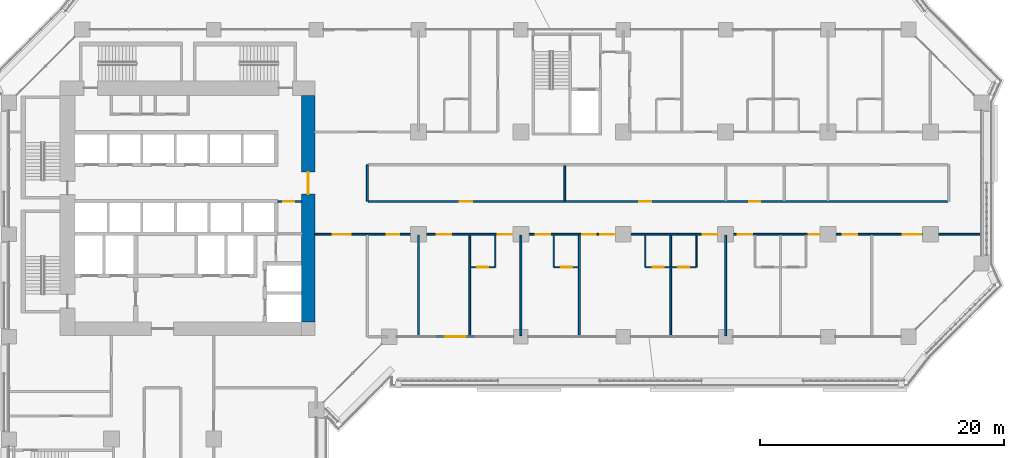
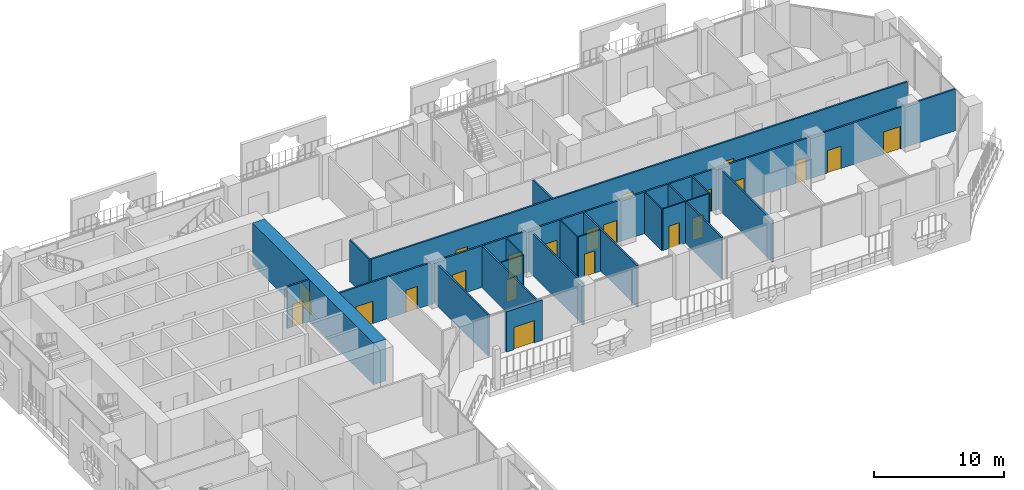
# One storey, part 16 of 28: 22 doors, 20 walls, 22 openings.
"""IFC4 building model written with IfcOpenShell, lengths in metres."""

import ifcopenshell
import ifcopenshell.guid

model = None  # the IFC model being written
_history = None  # IfcOwnerHistory: only IFC2X3 demands one
_inside = {}  # id of a spatial element -> (the spatial element, [elements in it])
_under = {}  # id of a project, library or spatial element -> (it, [spatial elements below it])
_declared = {}  # id of a project -> (the project, [libraries it declares])
_typed = {}  # id of a type object -> (the type object, [elements of that type])
_made_of = {}  # id of a material, layer set ... -> (it, [elements and type objects made of it])


def new_model(schema):
    """Start an empty IFC model of exactly this schema.

    Asked for "IFC4X3", IfcOpenShell would pick the latest addendum, in which some entities
    have other attributes; the version numbers below select the first issue.
    IFC2X3 requires an IfcOwnerHistory on every rooted entity: one is made here for all.
    """
    global model, _history
    if schema == "IFC4X3":
        model = ifcopenshell.file(schema_version=(4, 3, 0, 0))
    else:
        model = ifcopenshell.file(schema=schema)
    _inside.clear()
    _under.clear()
    _declared.clear()
    _typed.clear()
    _made_of.clear()
    _history = None
    if model.schema == "IFC2X3":
        org = make("IfcOrganization", Name="unknown")
        user = make(
            "IfcPersonAndOrganization",
            ThePerson=make("IfcPerson", FamilyName="unknown"),
            TheOrganization=org,
        )
        app = make(
            "IfcApplication",
            ApplicationDeveloper=org,
            Version="unknown",
            ApplicationFullName="unknown",
            ApplicationIdentifier="unknown",
        )
        _history = make(
            "IfcOwnerHistory",
            OwningUser=user,
            OwningApplication=app,
            ChangeAction="ADDED",
            CreationDate=0,
        )
    return model


def make(cls, **values):
    """One entity of the class cls with the attributes given. An attribute that is None is left unset."""
    return model.create_entity(
        cls, **{name: value for name, value in values.items() if value is not None}
    )


def rooted(cls, **values):
    """An entity with a GlobalId (a new one), such as an element, a storey or a relation."""
    return make(cls, GlobalId=ifcopenshell.guid.new(), OwnerHistory=_history, **values)


def si_unit(unit_type, name, prefix=None):
    """IfcSIUnit, for example si_unit("LENGTHUNIT", "METRE", prefix="MILLI")."""
    return make("IfcSIUnit", UnitType=unit_type, Prefix=prefix, Name=name)


def assignment(units):
    """IfcUnitAssignment: the units of a project."""
    return None if units is None else make("IfcUnitAssignment", Units=units)


def point(xyz):
    """IfcCartesianPoint."""
    return None if xyz is None else make("IfcCartesianPoint", Coordinates=xyz)


def direction(xyz):
    """IfcDirection."""
    return None if xyz is None else make("IfcDirection", DirectionRatios=xyz)


def frame(location, z_axis=None, x_axis=None):
    """IfcAxis2Placement3D, a coordinate frame: its origin and axes. An axis left out is left unset."""
    return make(
        "IfcAxis2Placement3D",
        Location=point(location),
        Axis=direction(z_axis),
        RefDirection=direction(x_axis),
    )


def frame_2d(location, x_axis=None):
    """IfcAxis2Placement2D, a coordinate frame in the plane: its origin and x axis."""
    return make(
        "IfcAxis2Placement2D", Location=point(location), RefDirection=direction(x_axis)
    )


def origin():
    """The frame at (0, 0, 0) with its axes left unset."""
    return frame((0.0, 0.0, 0.0))


def place(relative_to, where):
    """IfcLocalPlacement: puts the frame where relative to a parent placement (None: the world)."""
    return make(
        "IfcLocalPlacement", PlacementRelTo=relative_to, RelativePlacement=where
    )


def context(
    kind, dimensions, precision=None, world=None, true_north=None, identifier=None
):
    """IfcGeometricRepresentationContext, for example the 3D "Model" context."""
    return make(
        "IfcGeometricRepresentationContext",
        ContextIdentifier=identifier,
        ContextType=kind,
        CoordinateSpaceDimension=dimensions,
        Precision=precision,
        WorldCoordinateSystem=world,
        TrueNorth=true_north,
    )


def subcontext(parent, identifier, kind, view, scale=None):
    """IfcGeometricRepresentationSubContext, for example "Body" below "Model"."""
    return make(
        "IfcGeometricRepresentationSubContext",
        ContextIdentifier=identifier,
        ContextType=kind,
        ParentContext=parent,
        TargetScale=scale,
        TargetView=view,
    )


def project(units=None, contexts=None):
    """IfcProject with its units and contexts."""
    return rooted(
        "IfcProject",
        Name="project",
        RepresentationContexts=contexts,
        UnitsInContext=assignment(units),
    )


def spatial(cls, under=None, at=None, **own):
    """A site, building, storey or space (cls), placed at a placement, below another one or the project."""
    s = rooted(cls, ObjectPlacement=at, **own)
    if under is not None:
        _under.setdefault(under.id(), (under, []))[1].append(s)
    return s


def profile(cls, at=None, kind="AREA", **sizes):
    """A parametric profile (cls). Its sizes go by their IFC names, for example OverallWidth=200.0."""
    return make(cls, ProfileType=kind, Position=at, **sizes)


def rectangle(**sizes):
    """IfcRectangleProfileDef."""
    return profile("IfcRectangleProfileDef", **sizes)


def extrude(swept, where, along, depth):
    """IfcExtrudedAreaSolid: the profile swept, set in the frame where, extruded along a direction by depth."""
    return make(
        "IfcExtrudedAreaSolid",
        SweptArea=swept,
        Position=where,
        ExtrudedDirection=direction(along),
        Depth=depth,
    )


def shape(context_of_items, identifier, shape_type, items):
    """IfcShapeRepresentation: the items that make up one representation, for example the "Body"."""
    return make(
        "IfcShapeRepresentation",
        ContextOfItems=context_of_items,
        RepresentationIdentifier=identifier,
        RepresentationType=shape_type,
        Items=items,
    )


def material(Name=None, Category=None):
    """IfcMaterial."""
    return make("IfcMaterial", Name=Name, Category=Category)


def layer(
    of_material, thickness, ventilated=None, Name=None, Category=None, Priority=None
):
    """IfcMaterialLayer: one layer of a wall or slab, of a material (None: an air gap)."""
    return make(
        "IfcMaterialLayer",
        Material=of_material,
        LayerThickness=thickness,
        IsVentilated=ventilated,
        Name=Name,
        Category=Category,
        Priority=Priority,
    )


def layer_set(layers, Name=None):
    """IfcMaterialLayerSet."""
    return make("IfcMaterialLayerSet", MaterialLayers=layers, LayerSetName=Name)


def made_of(thing, what):
    """Note that an element or type object is made of a material, layer set ...; save() writes the relation."""
    if what is not None:
        _made_of.setdefault(what.id(), (what, []))[1].append(thing)
    return thing


def type_object(cls, material=None, **own):
    """A type object (cls), such as IfcWallType, which elements share."""
    return made_of(rooted(cls, **own), material)


def element(
    cls,
    number,
    at=None,
    inside=None,
    cuts=None,
    type_object=None,
    material=None,
    context=None,
    identifier="Body",
    shape_type=None,
    held_by="IfcProductDefinitionShape",
    body=None,
    shapes=None,
    **own,
):
    """One element of the class cls, such as IfcWall. Its Tag is "e" and its number.

    at: its placement. inside: the storey or other place that contains it. cuts: it is an
    opening in that element (IfcRelVoidsElement). A single representation is given by context,
    identifier, shape_type and body (its items); several are given by shapes. held_by: the class
    of the entity that holds the representations. save() writes the other relations.
    """
    e = rooted(cls, Tag="e%d" % number, ObjectPlacement=at, **own)
    if body is not None:
        shapes = [shape(context, identifier, shape_type, body)]
    if shapes is not None:
        e.Representation = make(held_by, Representations=shapes)
    if inside is not None:
        _inside.setdefault(inside.id(), (inside, []))[1].append(e)
    if cuts is not None:
        rooted(
            "IfcRelVoidsElement", RelatingBuildingElement=cuts, RelatedOpeningElement=e
        )
    if type_object is not None:
        _typed.setdefault(type_object.id(), (type_object, []))[1].append(e)
    return made_of(e, material)


def fill(opening, filler):
    """IfcRelFillsElement: the door or window that sits in an opening."""
    return rooted(
        "IfcRelFillsElement",
        RelatingOpeningElement=opening,
        RelatedBuildingElement=filler,
    )


def aggregate(whole, parts):
    """IfcRelAggregates: a whole, such as a stair, and the parts it consists of."""
    return rooted("IfcRelAggregates", RelatingObject=whole, RelatedObjects=parts)


def save(model, path):
    """Write the relations noted so far, then the file.

    IfcRelAggregates (storeys below a building ...), IfcRelContainedInSpatialStructure (elements
    in a storey), IfcRelDefinesByType, IfcRelAssociatesMaterial and IfcRelDeclares: one each for
    every whole, place, type object, material and project.
    """
    for whole, parts in _under.values():
        aggregate(whole, parts)
    for where, things in _inside.values():
        rooted(
            "IfcRelContainedInSpatialStructure",
            RelatedElements=things,
            RelatingStructure=where,
        )
    for kind, things in _typed.values():
        rooted("IfcRelDefinesByType", RelatedObjects=things, RelatingType=kind)
    for what, things in _made_of.values():
        rooted("IfcRelAssociatesMaterial", RelatedObjects=things, RelatingMaterial=what)
    for by, libraries in _declared.values():
        rooted("IfcRelDeclares", RelatingContext=by, RelatedDefinitions=libraries)
    model.write(path)


model = new_model("IFC4")

# Units and contexts
model_context = context("Model", 3, precision=1e-05, world=origin(), true_north=direction((0.0, 1.0)))
body_context = subcontext(model_context, "Body", "Model", "MODEL_VIEW")
ifc_project = project(units=[si_unit("LENGTHUNIT", "METRE"), si_unit("AREAUNIT", "SQUARE_METRE"), si_unit("VOLUMEUNIT", "CUBIC_METRE"), si_unit("PLANEANGLEUNIT", "RADIAN"), si_unit("MASSUNIT", "GRAM", prefix="KILO")], contexts=[model_context])

# Site, building, storey
site_placement = place(None, origin())
site = spatial("IfcSite", under=ifc_project, at=site_placement, CompositionType="ELEMENT")
building_placement = place(site_placement, origin())
building = spatial("IfcBuilding", under=site, at=building_placement, Name="Kawkab Arch Medical Tower", CompositionType="ELEMENT")
storey_placement = place(building_placement, frame((0.0, 0.0, 77.0)))
storey = spatial("IfcBuildingStorey", under=building, at=storey_placement, Name="L17", CompositionType="ELEMENT", Elevation=77.0)

# Wall, opening, door
ifc_material_1 = material(Name="Concrete C60/75", Category="concrete")
ifc_layer_1 = layer(ifc_material_1, 1.10009765625)
ifc_layer_set_1 = layer_set([ifc_layer_1], Name="Concrete C60/75")
wall_type_1 = type_object("IfcWallType", Name="Core ring wall 1100 C60/75", PredefinedType="SHEAR", material=ifc_layer_set_1)
wall_1_placement = place(storey_placement, frame((24.550048828125, -24.0, 0.0), z_axis=(0.0, 0.0, 1.0), x_axis=(0.0, 1.0, 0.0)))
wall_1 = element("IfcWall", 1, at=wall_1_placement, inside=storey, type_object=wall_type_1, Name="L17 core wall", PredefinedType="SHEAR", context=body_context, shape_type="SweptSolid", body=[
    extrude(rectangle(XDim=18.60009765625, YDim=1.10009765625, at=frame_2d((9.300048828125, 0.0))), origin(), (0.0, 0.0, 1.0), 3.89990234375),
])
opening_1_placement = place(wall_1_placement, frame((10.5, 0.0, 0.0)))
opening_1 = element("IfcOpeningElement", 2, at=opening_1_placement, cuts=wall_1, Name="Opening PD", PredefinedType="OPENING", context=body_context, shape_type="SweptSolid", body=[
    extrude(rectangle(XDim=1.800048828125, YDim=2.10009765625, at=frame_2d((0.89990234375, 1.050048828125))), frame((0.0, 0.56005859375, 0.0), z_axis=(0.0, -1.0, 0.0), x_axis=(1.0, 0.0, 0.0)), (0.0, 0.0, 1.0), 1.1201171875),
])
ifc_material_2 = material(Name="Hollow metal fire door leaf")
door_type_1 = type_object("IfcDoorType", Name="Core entrance doors 1800", OperationType="DOUBLE_DOOR_SINGLE_SWING", PredefinedType="DOOR", material=ifc_material_2)
door_1_placement = place(opening_1_placement, origin())
door_1 = element("IfcDoor", 3, at=door_1_placement, inside=storey, type_object=door_type_1, Name="L17 East entrance doors", OperationType="DOUBLE_DOOR_SINGLE_SWING", OverallHeight=2.10009765625, OverallWidth=1.800048828125, PredefinedType="DOOR", context=body_context, shape_type="SweptSolid", body=[
    extrude(rectangle(XDim=1.800048828125, YDim=2.10009765625, at=frame_2d((0.89990234375, 1.050048828125))), frame((0.0, 0.02490234375, 0.0), z_axis=(0.0, -1.0, 0.0), x_axis=(1.0, 0.0, 0.0)), (0.0, 0.0, 1.0), 0.050048828125),
])
fill(opening_1, door_1)

ifc_material_3 = material(Name="Gypsum board on steel studs", Category="steel")
ifc_layer_2 = layer(ifc_material_3, 0.14990234375)
ifc_layer_set_2 = layer_set([ifc_layer_2], Name="Gypsum board on steel studs")
wall_type_2 = type_object("IfcWallType", Name="Core room partition 150", PredefinedType="PARTITIONING", material=ifc_layer_set_2)
wall_2_placement = place(storey_placement, frame((22.050048828125, -14.10009765625, 0.0), z_axis=(0.0, 0.0, 1.0), x_axis=(1.0, 0.0, 0.0)))
wall_2 = element("IfcWall", 4, at=wall_2_placement, inside=storey, type_object=wall_type_2, Name="L17 core room partition", PredefinedType="PARTITIONING", context=body_context, shape_type="SweptSolid", body=[
    extrude(rectangle(XDim=1.949951171875, YDim=0.14990234375, at=frame_2d((0.97509765625, 0.0))), origin(), (0.0, 0.0, 1.0), 3.89990234375),
])
opening_2_placement = place(wall_2_placement, frame((0.449951171875, 0.0, 0.0)))
opening_2 = element("IfcOpeningElement", 5, at=opening_2_placement, cuts=wall_2, Name="Opening RD", PredefinedType="OPENING", context=body_context, shape_type="SweptSolid", body=[
    extrude(rectangle(XDim=0.89990234375, YDim=2.10009765625, at=frame_2d((0.449951171875, 1.050048828125))), frame((0.0, 0.0849609375, 0.0), z_axis=(0.0, -1.0, 0.0), x_axis=(1.0, 0.0, 0.0)), (0.0, 0.0, 1.0), 0.169921875),
])
ifc_material_4 = material(Name="Hollow metal fire door leaf")
door_type_2 = type_object("IfcDoorType", Name="Core room door 900", OperationType="SINGLE_SWING_LEFT", PredefinedType="DOOR", material=ifc_material_4)
door_2_placement = place(opening_2_placement, origin())
door_2 = element("IfcDoor", 6, at=door_2_placement, inside=storey, type_object=door_type_2, Name="L17 Medication store door", OperationType="SINGLE_SWING_LEFT", OverallHeight=2.10009765625, OverallWidth=0.89990234375, PredefinedType="DOOR", context=body_context, shape_type="SweptSolid", body=[
    extrude(rectangle(XDim=0.89990234375, YDim=2.10009765625, at=frame_2d((0.449951171875, 1.050048828125))), frame((0.0, 0.02490234375, 0.0), z_axis=(0.0, -1.0, 0.0), x_axis=(1.0, 0.0, 0.0)), (0.0, 0.0, 1.0), 0.050048828125),
])
fill(opening_2, door_2)

ifc_material_5 = material(Name="Bronze clad insulated wall panel")
ifc_layer_3 = layer(ifc_material_5, 0.25)
ifc_layer_set_3 = layer_set([ifc_layer_3], Name="Bronze clad insulated wall panel")
wall_type_3 = type_object("IfcWallType", Name="External wall bay 250", PredefinedType="SOLIDWALL", material=ifc_layer_set_3)
wall_3_placement = place(storey_placement, frame((35.0166015625, -25.199951171875, 0.0), z_axis=(0.0, 0.0, 1.0), x_axis=(1.0, 0.0, 0.0)))
wall_3 = element("IfcWall", 7, at=wall_3_placement, inside=storey, type_object=wall_type_3, Name="External wall bay L17.R07.1.2", PredefinedType="SOLIDWALL", context=body_context, shape_type="SweptSolid", body=[
    extrude(rectangle(XDim=3.191650390625, YDim=0.25, at=frame_2d((1.595703125, 0.0))), origin(), (0.0, 0.0, 1.0), 3.780029296875),
])
opening_3_placement = place(wall_3_placement, frame((0.69580078125, 0.0, 0.0)))
opening_3 = element("IfcOpeningElement", 8, at=opening_3_placement, cuts=wall_3, Name="Opening W12-702", PredefinedType="OPENING", context=body_context, shape_type="SweptSolid", body=[
    extrude(rectangle(XDim=1.800048828125, YDim=2.10009765625, at=frame_2d((0.89990234375, 1.050048828125))), frame((0.0, 0.135009765625, 0.0), z_axis=(0.0, -1.0, 0.0), x_axis=(1.0, 0.0, 0.0)), (0.0, 0.0, 1.0), 0.27001953125),
])
ifc_material_6 = material(Name="Bronze anodised aluminium door with tinted glass", Category="aluminium")
door_type_3 = type_object("IfcDoorType", Name="Double external door 1800 x 2100", OperationType="DOUBLE_DOOR_SINGLE_SWING", PredefinedType="DOOR", material=ifc_material_6)
door_3_placement = place(opening_3_placement, origin())
door_3 = element("IfcDoor", 9, at=door_3_placement, inside=storey, type_object=door_type_3, Name="External door L17.R07.1.2", OperationType="DOUBLE_DOOR_SINGLE_SWING", OverallHeight=2.10009765625, OverallWidth=1.800048828125, PredefinedType="DOOR", context=body_context, shape_type="SweptSolid", body=[
    extrude(rectangle(XDim=1.800048828125, YDim=2.10009765625, at=frame_2d((0.89990234375, 1.050048828125))), frame((0.0, 0.02490234375, 0.0), z_axis=(0.0, -1.0, 0.0), x_axis=(1.0, 0.0, 0.0)), (0.0, 0.0, 1.0), 0.050048828125),
])
fill(opening_3, door_3)

ifc_material_7 = material(Name="Gypsum board partition on steel studs", Category="steel")
ifc_layer_4 = layer(ifc_material_7, 0.10009765625)
ifc_layer_set_4 = layer_set([ifc_layer_4], Name="Gypsum board partition on steel studs")
wall_type_4 = type_object("IfcWallType", Name="Partition 100", PredefinedType="PARTITIONING", material=ifc_layer_set_4)
wall_4_placement = place(storey_placement, frame((37.875, -19.5, 0.0), z_axis=(0.0, 0.0, 1.0), x_axis=(1.0, 0.0, 0.0)))
wall_4 = element("IfcWall", 10, at=wall_4_placement, inside=storey, type_object=wall_type_4, Name="Partition 100 w011", PredefinedType="PARTITIONING", context=body_context, shape_type="SweptSolid", body=[
    extrude(rectangle(XDim=1.97509765625, YDim=0.10009765625, at=frame_2d((0.987548828125, 0.0))), origin(), (0.0, 0.0, 1.0), 3.89990234375),
])
opening_4_placement = place(wall_4_placement, frame((0.52490234375, 0.0, 0.0)))
opening_4 = element("IfcOpeningElement", 11, at=opening_4_placement, cuts=wall_4, Name="Opening W12-011", PredefinedType="OPENING", context=body_context, shape_type="SweptSolid", body=[
    extrude(rectangle(XDim=0.89990234375, YDim=2.10009765625, at=frame_2d((0.449951171875, 1.050048828125))), frame((0.0, 0.06005859375, 0.0), z_axis=(0.0, -1.0, 0.0), x_axis=(1.0, 0.0, 0.0)), (0.0, 0.0, 1.0), 0.1201171875),
])
ifc_material_8 = material(Name="Timber door leaf", Category="wood")
door_type_4 = type_object("IfcDoorType", Name="Single door 900x2100", OperationType="NOTDEFINED", PredefinedType="DOOR", material=ifc_material_8)
door_4_placement = place(opening_4_placement, origin())
door_4 = element("IfcDoor", 12, at=door_4_placement, inside=storey, type_object=door_type_4, Name="Door W12-011", OperationType="SINGLE_SWING_RIGHT", OverallHeight=2.10009765625, OverallWidth=0.89990234375, PredefinedType="DOOR", context=body_context, shape_type="SweptSolid", body=[
    extrude(rectangle(XDim=0.89990234375, YDim=2.10009765625, at=frame_2d((0.449951171875, 1.050048828125))), frame((0.0, 0.02490234375, 0.0), z_axis=(0.0, -1.0, 0.0), x_axis=(1.0, 0.0, 0.0)), (0.0, 0.0, 1.0), 0.050048828125),
])
fill(opening_4, door_4)

wall_5_placement = place(storey_placement, frame((44.75, -19.5, 0.0), z_axis=(0.0, 0.0, 1.0), x_axis=(1.0, 0.0, 0.0)))
wall_5 = element("IfcWall", 13, at=wall_5_placement, inside=storey, type_object=wall_type_4, Name="Partition 100 w012", PredefinedType="PARTITIONING", context=body_context, shape_type="SweptSolid", body=[
    extrude(rectangle(XDim=1.97509765625, YDim=0.10009765625, at=frame_2d((0.987548828125, 0.0))), origin(), (0.0, 0.0, 1.0), 3.89990234375),
])
opening_5_placement = place(wall_5_placement, frame((0.550048828125, 0.0, 0.0)))
opening_5 = element("IfcOpeningElement", 14, at=opening_5_placement, cuts=wall_5, Name="Opening W12-012", PredefinedType="OPENING", context=body_context, shape_type="SweptSolid", body=[
    extrude(rectangle(XDim=0.89990234375, YDim=2.10009765625, at=frame_2d((0.449951171875, 1.050048828125))), frame((0.0, 0.06005859375, 0.0), z_axis=(0.0, -1.0, 0.0), x_axis=(1.0, 0.0, 0.0)), (0.0, 0.0, 1.0), 0.1201171875),
])
door_5_placement = place(opening_5_placement, origin())
door_5 = element("IfcDoor", 15, at=door_5_placement, inside=storey, type_object=door_type_4, Name="Door W12-012", OperationType="SINGLE_SWING_RIGHT", OverallHeight=2.10009765625, OverallWidth=0.89990234375, PredefinedType="DOOR", context=body_context, shape_type="SweptSolid", body=[
    extrude(rectangle(XDim=0.89990234375, YDim=2.10009765625, at=frame_2d((0.449951171875, 1.050048828125))), frame((0.0, 0.02490234375, 0.0), z_axis=(0.0, -1.0, 0.0), x_axis=(1.0, 0.0, 0.0)), (0.0, 0.0, 1.0), 0.050048828125),
])
fill(opening_5, door_5)

# Wall, openings, doors
wall_6_placement = place(storey_placement, frame((52.251953125, -19.5, 0.0), z_axis=(0.0, 0.0, 1.0), x_axis=(1.0, 0.0, 0.0)))
wall_6 = element("IfcWall", 16, at=wall_6_placement, inside=storey, type_object=wall_type_4, Name="Partition 100 w013", PredefinedType="PARTITIONING", context=body_context, shape_type="SweptSolid", body=[
    extrude(rectangle(XDim=4.09814453125, YDim=0.10009765625, at=frame_2d((2.049072265625, 0.0))), origin(), (0.0, 0.0, 1.0), 3.89990234375),
])
opening_6_placement = place(wall_6_placement, frame((0.549072265625, 0.0, 0.0)))
opening_6 = element("IfcOpeningElement", 17, at=opening_6_placement, cuts=wall_6, Name="Opening W12-013", PredefinedType="OPENING", context=body_context, shape_type="SweptSolid", body=[
    extrude(rectangle(XDim=0.89990234375, YDim=2.10009765625, at=frame_2d((0.449951171875, 1.050048828125))), frame((0.0, 0.06005859375, 0.0), z_axis=(0.0, -1.0, 0.0), x_axis=(1.0, 0.0, 0.0)), (0.0, 0.0, 1.0), 0.1201171875),
])
opening_7_placement = place(wall_6_placement, frame((2.64794921875, 0.0, 0.0)))
opening_7 = element("IfcOpeningElement", 18, at=opening_7_placement, cuts=wall_6, Name="Opening W12-014", PredefinedType="OPENING", context=body_context, shape_type="SweptSolid", body=[
    extrude(rectangle(XDim=0.89990234375, YDim=2.10009765625, at=frame_2d((0.449951171875, 1.050048828125))), frame((0.0, 0.06005859375, 0.0), z_axis=(0.0, -1.0, 0.0), x_axis=(1.0, 0.0, 0.0)), (0.0, 0.0, 1.0), 0.1201171875),
])
door_6_placement = place(opening_6_placement, origin())
door_6 = element("IfcDoor", 19, at=door_6_placement, inside=storey, type_object=door_type_4, Name="Door W12-013", OperationType="SINGLE_SWING_RIGHT", OverallHeight=2.10009765625, OverallWidth=0.89990234375, PredefinedType="DOOR", context=body_context, shape_type="SweptSolid", body=[
    extrude(rectangle(XDim=0.89990234375, YDim=2.10009765625, at=frame_2d((0.449951171875, 1.050048828125))), frame((0.0, 0.02490234375, 0.0), z_axis=(0.0, -1.0, 0.0), x_axis=(1.0, 0.0, 0.0)), (0.0, 0.0, 1.0), 0.050048828125),
])
fill(opening_6, door_6)
door_7_placement = place(opening_7_placement, origin())
door_7 = element("IfcDoor", 20, at=door_7_placement, inside=storey, type_object=door_type_4, Name="Door W12-014", OperationType="SINGLE_SWING_LEFT", OverallHeight=2.10009765625, OverallWidth=0.89990234375, PredefinedType="DOOR", context=body_context, shape_type="SweptSolid", body=[
    extrude(rectangle(XDim=0.89990234375, YDim=2.10009765625, at=frame_2d((0.449951171875, 1.050048828125))), frame((0.0, 0.02490234375, 0.0), z_axis=(0.0, -1.0, 0.0), x_axis=(1.0, 0.0, 0.0)), (0.0, 0.0, 1.0), 0.050048828125),
])
fill(opening_7, door_7)

# Walls
for number, where, z_axis, x_axis, name in (
    (21, (39.89990234375, -19.5, 0.0), (0.0, 0.0, 1.0), (0.0, 1.0, 0.0), "Partition 100 w028"),
    (22, (44.699951171875, -19.5, 0.0), (0.0, 0.0, 1.0), (0.0, 1.0, 0.0), "Partition 100 w029"),
):
    element("IfcWall", number, at=place(storey_placement, frame(where, z_axis=z_axis, x_axis=x_axis)), inside=storey, type_object=wall_type_4, Name=name, PredefinedType="PARTITIONING", context=body_context, shape_type="SweptSolid", body=[
        extrude(rectangle(XDim=2.625, YDim=0.10009765625, at=frame_2d((1.3125, 0.0))), origin(), (0.0, 0.0, 1.0), 3.89990234375),
    ])
wall_7_placement = place(storey_placement, frame((52.199951171875, -19.4990234375, 0.0), z_axis=(0.0, 0.0, 1.0), x_axis=(0.0, 1.0, 0.0)))
element("IfcWall", 23, at=wall_7_placement, inside=storey, type_object=wall_type_4, Name="Partition 100 w030", PredefinedType="PARTITIONING", context=body_context, shape_type="SweptSolid", body=[
    extrude(rectangle(XDim=2.6240234375, YDim=0.10009765625, at=frame_2d((1.31201171875, 0.0))), origin(), (0.0, 0.0, 1.0), 3.89990234375),
])
wall_8_placement = place(storey_placement, frame((56.39990234375, -19.5, 0.0), z_axis=(0.0, 0.0, 1.0), x_axis=(0.0, 1.0, 0.0)))
element("IfcWall", 24, at=wall_8_placement, inside=storey, type_object=wall_type_4, Name="Partition 100 w032", PredefinedType="PARTITIONING", context=body_context, shape_type="SweptSolid", body=[
    extrude(rectangle(XDim=2.625, YDim=0.10009765625, at=frame_2d((1.3125, 0.0))), origin(), (0.0, 0.0, 1.0), 3.89990234375),
])

# Wall, openings, doors
ifc_material_9 = material(Name="Gypsum board partition on steel studs, mineral wool", Category="steel")
ifc_layer_5 = layer(ifc_material_9, 0.14990234375)
ifc_layer_set_5 = layer_set([ifc_layer_5], Name="Gypsum board partition on steel studs, mineral wool")
wall_type_5 = type_object("IfcWallType", Name="Partition 150", PredefinedType="PARTITIONING", material=ifc_layer_set_5)
wall_9_placement = place(storey_placement, frame((25.10009765625, -16.800048828125, 0.0), z_axis=(0.0, 0.0, 1.0), x_axis=(1.0, 0.0, 0.0)))
wall_9 = element("IfcWall", 25, at=wall_9_placement, inside=storey, type_object=wall_type_5, Name="Partition 150 w062", PredefinedType="PARTITIONING", context=body_context, shape_type="SweptSolid", body=[
    extrude(rectangle(XDim=54.619873046875, YDim=0.14990234375, at=frame_2d((27.31005859375, 0.0))), origin(), (0.0, 0.0, 1.0), 3.89990234375),
])
opening_8_placement = place(wall_9_placement, frame((1.449951171875, 0.0, 0.0)))
opening_8 = element("IfcOpeningElement", 26, at=opening_8_placement, cuts=wall_9, Name="Opening W12-001", PredefinedType="OPENING", context=body_context, shape_type="SweptSolid", body=[
    extrude(rectangle(XDim=1.5, YDim=2.10009765625, at=frame_2d((0.75, 1.050048828125))), frame((0.0, 0.0849609375, 0.0), z_axis=(0.0, -1.0, 0.0), x_axis=(1.0, 0.0, 0.0)), (0.0, 0.0, 1.0), 0.169921875),
])
opening_9_placement = place(wall_9_placement, frame((5.89990234375, 0.0, 0.0)))
opening_9 = element("IfcOpeningElement", 27, at=opening_9_placement, cuts=wall_9, Name="Opening W12-038", PredefinedType="OPENING", context=body_context, shape_type="SweptSolid", body=[
    extrude(rectangle(XDim=1.0, YDim=2.10009765625, at=frame_2d((0.5, 1.050048828125))), frame((0.0, 0.0849609375, 0.0), z_axis=(0.0, -1.0, 0.0), x_axis=(1.0, 0.0, 0.0)), (0.0, 0.0, 1.0), 0.169921875),
])
opening_10_placement = place(wall_9_placement, frame((10.0, 0.0, 0.0)))
opening_10 = element("IfcOpeningElement", 28, at=opening_10_placement, cuts=wall_9, Name="Opening W12-054", PredefinedType="OPENING", context=body_context, shape_type="SweptSolid", body=[
    extrude(rectangle(XDim=1.199951171875, YDim=2.10009765625, at=frame_2d((0.60009765625, 1.050048828125))), frame((0.0, 0.0849609375, 0.0), z_axis=(0.0, -1.0, 0.0), x_axis=(1.0, 0.0, 0.0)), (0.0, 0.0, 1.0), 0.169921875),
])
opening_11_placement = place(wall_9_placement, frame((15.0, 0.0, 0.0)))
opening_11 = element("IfcOpeningElement", 29, at=opening_11_placement, cuts=wall_9, Name="Opening W12-055", PredefinedType="OPENING", context=body_context, shape_type="SweptSolid", body=[
    extrude(rectangle(XDim=1.199951171875, YDim=2.10009765625, at=frame_2d((0.60009765625, 1.050048828125))), frame((0.0, 0.0849609375, 0.0), z_axis=(0.0, -1.0, 0.0), x_axis=(1.0, 0.0, 0.0)), (0.0, 0.0, 1.0), 0.169921875),
])
opening_12_placement = place(wall_9_placement, frame((18.10009765625, 0.0, 0.0)))
opening_12 = element("IfcOpeningElement", 30, at=opening_12_placement, cuts=wall_9, Name="Opening W12-056", PredefinedType="OPENING", context=body_context, shape_type="SweptSolid", body=[
    extrude(rectangle(XDim=1.199951171875, YDim=2.10009765625, at=frame_2d((0.60009765625, 1.050048828125))), frame((0.0, 0.0849609375, 0.0), z_axis=(0.0, -1.0, 0.0), x_axis=(1.0, 0.0, 0.0)), (0.0, 0.0, 1.0), 0.169921875),
])
opening_13_placement = place(wall_9_placement, frame((23.39990234375, 0.0, 0.0)))
opening_13 = element("IfcOpeningElement", 31, at=opening_13_placement, cuts=wall_9, Name="Opening W12-057", PredefinedType="OPENING", context=body_context, shape_type="SweptSolid", body=[
    extrude(rectangle(XDim=1.199951171875, YDim=2.10009765625, at=frame_2d((0.60009765625, 1.050048828125))), frame((0.0, 0.0849609375, 0.0), z_axis=(0.0, -1.0, 0.0), x_axis=(1.0, 0.0, 0.0)), (0.0, 0.0, 1.0), 0.169921875),
])
opening_14_placement = place(wall_9_placement, frame((21.949951171875, 0.0, 0.0)))
opening_14 = element("IfcOpeningElement", 32, at=opening_14_placement, cuts=wall_9, Name="Opening W12-046", PredefinedType="OPENING", context=body_context, shape_type="SweptSolid", body=[
    extrude(rectangle(XDim=1.10009765625, YDim=2.10009765625, at=frame_2d((0.550048828125, 1.050048828125))), frame((0.0, 0.0849609375, 0.0), z_axis=(0.0, -1.0, 0.0), x_axis=(1.0, 0.0, 0.0)), (0.0, 0.0, 1.0), 0.169921875),
])
opening_15_placement = place(wall_9_placement, frame((31.800048828125, 0.0, 0.0)))
opening_15 = element("IfcOpeningElement", 33, at=opening_15_placement, cuts=wall_9, Name="Opening W12-058", PredefinedType="OPENING", context=body_context, shape_type="SweptSolid", body=[
    extrude(rectangle(XDim=1.199951171875, YDim=2.10009765625, at=frame_2d((0.60009765625, 1.050048828125))), frame((0.0, 0.0849609375, 0.0), z_axis=(0.0, -1.0, 0.0), x_axis=(1.0, 0.0, 0.0)), (0.0, 0.0, 1.0), 0.169921875),
])
opening_16_placement = place(wall_9_placement, frame((34.699951171875, 0.0, 0.0)))
opening_16 = element("IfcOpeningElement", 34, at=opening_16_placement, cuts=wall_9, Name="Opening W12-059", PredefinedType="OPENING", context=body_context, shape_type="SweptSolid", body=[
    extrude(rectangle(XDim=1.199951171875, YDim=2.10009765625, at=frame_2d((0.60009765625, 1.050048828125))), frame((0.0, 0.0849609375, 0.0), z_axis=(0.0, -1.0, 0.0), x_axis=(1.0, 0.0, 0.0)), (0.0, 0.0, 1.0), 0.169921875),
])
opening_17_placement = place(wall_9_placement, frame((43.300048828125, 0.0, 0.0)))
opening_17 = element("IfcOpeningElement", 35, at=opening_17_placement, cuts=wall_9, Name="Opening W12-060", PredefinedType="OPENING", context=body_context, shape_type="SweptSolid", body=[
    extrude(rectangle(XDim=1.199951171875, YDim=2.10009765625, at=frame_2d((0.60009765625, 1.050048828125))), frame((0.0, 0.0849609375, 0.0), z_axis=(0.0, -1.0, 0.0), x_axis=(1.0, 0.0, 0.0)), (0.0, 0.0, 1.0), 0.169921875),
])
opening_18_placement = place(wall_9_placement, frame((40.5, 0.0, 0.0)))
opening_18 = element("IfcOpeningElement", 36, at=opening_18_placement, cuts=wall_9, Name="Opening W12-026", PredefinedType="OPENING", context=body_context, shape_type="SweptSolid", body=[
    extrude(rectangle(XDim=0.89990234375, YDim=2.10009765625, at=frame_2d((0.449951171875, 1.050048828125))), frame((0.0, 0.0849609375, 0.0), z_axis=(0.0, -1.0, 0.0), x_axis=(1.0, 0.0, 0.0)), (0.0, 0.0, 1.0), 0.169921875),
])
opening_19_placement = place(wall_9_placement, frame((48.25, 0.0, 0.0)))
opening_19 = element("IfcOpeningElement", 37, at=opening_19_placement, cuts=wall_9, Name="Opening W12-003", PredefinedType="OPENING", context=body_context, shape_type="SweptSolid", body=[
    extrude(rectangle(XDim=1.5, YDim=2.10009765625, at=frame_2d((0.75, 1.050048828125))), frame((0.0, 0.0849609375, 0.0), z_axis=(0.0, -1.0, 0.0), x_axis=(1.0, 0.0, 0.0)), (0.0, 0.0, 1.0), 0.169921875),
])
ifc_material_10 = material(Name="Hollow metal door leaf")
door_type_5 = type_object("IfcDoorType", Name="Double door 1500x2100 FD30S", OperationType="NOTDEFINED", PredefinedType="DOOR", material=ifc_material_10)
door_8_placement = place(opening_8_placement, origin())
door_8 = element("IfcDoor", 38, at=door_8_placement, inside=storey, type_object=door_type_5, Name="Door W12-001", OperationType="DOUBLE_DOOR_SINGLE_SWING", OverallHeight=2.10009765625, OverallWidth=1.5, PredefinedType="DOOR", context=body_context, shape_type="SweptSolid", body=[
    extrude(rectangle(XDim=1.5, YDim=2.10009765625, at=frame_2d((0.75, 1.050048828125))), frame((0.0, 0.02490234375, 0.0), z_axis=(0.0, -1.0, 0.0), x_axis=(1.0, 0.0, 0.0)), (0.0, 0.0, 1.0), 0.050048828125),
])
fill(opening_8, door_8)
door_9_placement = place(opening_19_placement, origin())
door_9 = element("IfcDoor", 39, at=door_9_placement, inside=storey, type_object=door_type_5, Name="Door W12-003", OperationType="DOUBLE_DOOR_SINGLE_SWING", OverallHeight=2.10009765625, OverallWidth=1.5, PredefinedType="DOOR", context=body_context, shape_type="SweptSolid", body=[
    extrude(rectangle(XDim=1.5, YDim=2.10009765625, at=frame_2d((0.75, 1.050048828125))), frame((0.0, 0.02490234375, 0.0), z_axis=(0.0, -1.0, 0.0), x_axis=(1.0, 0.0, 0.0)), (0.0, 0.0, 1.0), 0.050048828125),
])
fill(opening_19, door_9)
ifc_material_11 = material(Name="Hollow metal door leaf")
door_type_6 = type_object("IfcDoorType", Name="Single door 1000x2100 FD30S", OperationType="NOTDEFINED", PredefinedType="DOOR", material=ifc_material_11)
door_10_placement = place(opening_9_placement, origin())
door_10 = element("IfcDoor", 40, at=door_10_placement, inside=storey, type_object=door_type_6, Name="Door W12-038", OperationType="SINGLE_SWING_RIGHT", OverallHeight=2.10009765625, OverallWidth=1.0, PredefinedType="DOOR", context=body_context, shape_type="SweptSolid", body=[
    extrude(rectangle(XDim=1.0, YDim=2.10009765625, at=frame_2d((0.5, 1.050048828125))), frame((0.0, 0.02490234375, 0.0), z_axis=(0.0, -1.0, 0.0), x_axis=(1.0, 0.0, 0.0)), (0.0, 0.0, 1.0), 0.050048828125),
])
fill(opening_9, door_10)
ifc_material_12 = material(Name="Hollow metal door leaf")
door_type_7 = type_object("IfcDoorType", Name="Single door 1100x2100 FD30S", OperationType="NOTDEFINED", PredefinedType="DOOR", material=ifc_material_12)
door_11_placement = place(opening_14_placement, origin())
door_11 = element("IfcDoor", 41, at=door_11_placement, inside=storey, type_object=door_type_7, Name="Door W12-046", OperationType="SINGLE_SWING_RIGHT", OverallHeight=2.10009765625, OverallWidth=1.10009765625, PredefinedType="DOOR", context=body_context, shape_type="SweptSolid", body=[
    extrude(rectangle(XDim=1.10009765625, YDim=2.10009765625, at=frame_2d((0.550048828125, 1.050048828125))), frame((0.0, 0.02490234375, 0.0), z_axis=(0.0, -1.0, 0.0), x_axis=(1.0, 0.0, 0.0)), (0.0, 0.0, 1.0), 0.050048828125),
])
fill(opening_14, door_11)
ifc_material_13 = material(Name="Hollow metal door leaf")
door_type_8 = type_object("IfcDoorType", Name="Single door 1200x2100 FD30S", OperationType="NOTDEFINED", PredefinedType="DOOR", material=ifc_material_13)
door_12_placement = place(opening_10_placement, origin())
door_12 = element("IfcDoor", 42, at=door_12_placement, inside=storey, type_object=door_type_8, Name="Door W12-054", OperationType="SINGLE_SWING_RIGHT", OverallHeight=2.10009765625, OverallWidth=1.199951171875, PredefinedType="DOOR", context=body_context, shape_type="SweptSolid", body=[
    extrude(rectangle(XDim=1.199951171875, YDim=2.10009765625, at=frame_2d((0.60009765625, 1.050048828125))), frame((0.0, 0.02490234375, 0.0), z_axis=(0.0, -1.0, 0.0), x_axis=(1.0, 0.0, 0.0)), (0.0, 0.0, 1.0), 0.050048828125),
])
fill(opening_10, door_12)
door_13_placement = place(opening_11_placement, origin())
door_13 = element("IfcDoor", 43, at=door_13_placement, inside=storey, type_object=door_type_8, Name="Door W12-055", OperationType="SINGLE_SWING_RIGHT", OverallHeight=2.10009765625, OverallWidth=1.199951171875, PredefinedType="DOOR", context=body_context, shape_type="SweptSolid", body=[
    extrude(rectangle(XDim=1.199951171875, YDim=2.10009765625, at=frame_2d((0.60009765625, 1.050048828125))), frame((0.0, 0.02490234375, 0.0), z_axis=(0.0, -1.0, 0.0), x_axis=(1.0, 0.0, 0.0)), (0.0, 0.0, 1.0), 0.050048828125),
])
fill(opening_11, door_13)
door_14_placement = place(opening_12_placement, origin())
door_14 = element("IfcDoor", 44, at=door_14_placement, inside=storey, type_object=door_type_8, Name="Door W12-056", OperationType="SINGLE_SWING_RIGHT", OverallHeight=2.10009765625, OverallWidth=1.199951171875, PredefinedType="DOOR", context=body_context, shape_type="SweptSolid", body=[
    extrude(rectangle(XDim=1.199951171875, YDim=2.10009765625, at=frame_2d((0.60009765625, 1.050048828125))), frame((0.0, 0.02490234375, 0.0), z_axis=(0.0, -1.0, 0.0), x_axis=(1.0, 0.0, 0.0)), (0.0, 0.0, 1.0), 0.050048828125),
])
fill(opening_12, door_14)
door_15_placement = place(opening_13_placement, origin())
door_15 = element("IfcDoor", 45, at=door_15_placement, inside=storey, type_object=door_type_8, Name="Door W12-057", OperationType="SINGLE_SWING_RIGHT", OverallHeight=2.10009765625, OverallWidth=1.199951171875, PredefinedType="DOOR", context=body_context, shape_type="SweptSolid", body=[
    extrude(rectangle(XDim=1.199951171875, YDim=2.10009765625, at=frame_2d((0.60009765625, 1.050048828125))), frame((0.0, 0.02490234375, 0.0), z_axis=(0.0, -1.0, 0.0), x_axis=(1.0, 0.0, 0.0)), (0.0, 0.0, 1.0), 0.050048828125),
])
fill(opening_13, door_15)
door_16_placement = place(opening_15_placement, origin())
door_16 = element("IfcDoor", 46, at=door_16_placement, inside=storey, type_object=door_type_8, Name="Door W12-058", OperationType="SINGLE_SWING_LEFT", OverallHeight=2.10009765625, OverallWidth=1.199951171875, PredefinedType="DOOR", context=body_context, shape_type="SweptSolid", body=[
    extrude(rectangle(XDim=1.199951171875, YDim=2.10009765625, at=frame_2d((0.60009765625, 1.050048828125))), frame((0.0, 0.02490234375, 0.0), z_axis=(0.0, -1.0, 0.0), x_axis=(1.0, 0.0, 0.0)), (0.0, 0.0, 1.0), 0.050048828125),
])
fill(opening_15, door_16)
door_17_placement = place(opening_16_placement, origin())
door_17 = element("IfcDoor", 47, at=door_17_placement, inside=storey, type_object=door_type_8, Name="Door W12-059", OperationType="SINGLE_SWING_LEFT", OverallHeight=2.10009765625, OverallWidth=1.199951171875, PredefinedType="DOOR", context=body_context, shape_type="SweptSolid", body=[
    extrude(rectangle(XDim=1.199951171875, YDim=2.10009765625, at=frame_2d((0.60009765625, 1.050048828125))), frame((0.0, 0.02490234375, 0.0), z_axis=(0.0, -1.0, 0.0), x_axis=(1.0, 0.0, 0.0)), (0.0, 0.0, 1.0), 0.050048828125),
])
fill(opening_16, door_17)
door_18_placement = place(opening_17_placement, origin())
door_18 = element("IfcDoor", 48, at=door_18_placement, inside=storey, type_object=door_type_8, Name="Door W12-060", OperationType="SINGLE_SWING_LEFT", OverallHeight=2.10009765625, OverallWidth=1.199951171875, PredefinedType="DOOR", context=body_context, shape_type="SweptSolid", body=[
    extrude(rectangle(XDim=1.199951171875, YDim=2.10009765625, at=frame_2d((0.60009765625, 1.050048828125))), frame((0.0, 0.02490234375, 0.0), z_axis=(0.0, -1.0, 0.0), x_axis=(1.0, 0.0, 0.0)), (0.0, 0.0, 1.0), 0.050048828125),
])
fill(opening_17, door_18)
ifc_material_14 = material(Name="Hollow metal door leaf")
door_type_9 = type_object("IfcDoorType", Name="Single door 900x2100 FD30S", OperationType="NOTDEFINED", PredefinedType="DOOR", material=ifc_material_14)
door_19_placement = place(opening_18_placement, origin())
door_19 = element("IfcDoor", 49, at=door_19_placement, inside=storey, type_object=door_type_9, Name="Door W12-026", OperationType="SINGLE_SWING_LEFT", OverallHeight=2.10009765625, OverallWidth=0.89990234375, PredefinedType="DOOR", context=body_context, shape_type="SweptSolid", body=[
    extrude(rectangle(XDim=0.89990234375, YDim=2.10009765625, at=frame_2d((0.449951171875, 1.050048828125))), frame((0.0, 0.02490234375, 0.0), z_axis=(0.0, -1.0, 0.0), x_axis=(1.0, 0.0, 0.0)), (0.0, 0.0, 1.0), 0.050048828125),
])
fill(opening_18, door_19)

wall_10_placement = place(storey_placement, frame((29.47509765625, -14.10009765625, 0.0), z_axis=(0.0, 0.0, 1.0), x_axis=(1.0, 0.0, 0.0)))
wall_10 = element("IfcWall", 50, at=wall_10_placement, inside=storey, type_object=wall_type_5, Name="Partition 150 w063", PredefinedType="PARTITIONING", context=body_context, shape_type="SweptSolid", body=[
    extrude(rectangle(XDim=47.5498046875, YDim=0.14990234375, at=frame_2d((23.77490234375, 0.0))), origin(), (0.0, 0.0, 1.0), 3.89990234375),
])
opening_20_placement = place(wall_10_placement, frame((7.52490234375, 0.0, 0.0)))
opening_20 = element("IfcOpeningElement", 51, at=opening_20_placement, cuts=wall_10, Name="Opening W12-035", PredefinedType="OPENING", context=body_context, shape_type="SweptSolid", body=[
    extrude(rectangle(XDim=1.0, YDim=2.10009765625, at=frame_2d((0.5, 1.050048828125))), frame((0.0, 0.0849609375, 0.0), z_axis=(0.0, -1.0, 0.0), x_axis=(1.0, 0.0, 0.0)), (0.0, 0.0, 1.0), 0.169921875),
])
opening_21_placement = place(wall_10_placement, frame((22.22509765625, 0.0, 0.0)))
opening_21 = element("IfcOpeningElement", 52, at=opening_21_placement, cuts=wall_10, Name="Opening W12-036", PredefinedType="OPENING", context=body_context, shape_type="SweptSolid", body=[
    extrude(rectangle(XDim=1.0, YDim=2.10009765625, at=frame_2d((0.5, 1.050048828125))), frame((0.0, 0.0849609375, 0.0), z_axis=(0.0, -1.0, 0.0), x_axis=(1.0, 0.0, 0.0)), (0.0, 0.0, 1.0), 0.169921875),
])
opening_22_placement = place(wall_10_placement, frame((31.27490234375, 0.0, 0.0)))
opening_22 = element("IfcOpeningElement", 53, at=opening_22_placement, cuts=wall_10, Name="Opening W12-010", PredefinedType="OPENING", context=body_context, shape_type="SweptSolid", body=[
    extrude(rectangle(XDim=0.89990234375, YDim=2.10009765625, at=frame_2d((0.449951171875, 1.050048828125))), frame((0.0, 0.0849609375, 0.0), z_axis=(0.0, -1.0, 0.0), x_axis=(1.0, 0.0, 0.0)), (0.0, 0.0, 1.0), 0.169921875),
])
door_20_placement = place(opening_20_placement, origin())
door_20 = element("IfcDoor", 54, at=door_20_placement, inside=storey, type_object=door_type_6, Name="Door W12-035", OperationType="SINGLE_SWING_LEFT", OverallHeight=2.10009765625, OverallWidth=1.0, PredefinedType="DOOR", context=body_context, shape_type="SweptSolid", body=[
    extrude(rectangle(XDim=1.0, YDim=2.10009765625, at=frame_2d((0.5, 1.050048828125))), frame((0.0, 0.02490234375, 0.0), z_axis=(0.0, -1.0, 0.0), x_axis=(1.0, 0.0, 0.0)), (0.0, 0.0, 1.0), 0.050048828125),
])
fill(opening_20, door_20)
door_21_placement = place(opening_21_placement, origin())
door_21 = element("IfcDoor", 55, at=door_21_placement, inside=storey, type_object=door_type_6, Name="Door W12-036", OperationType="SINGLE_SWING_LEFT", OverallHeight=2.10009765625, OverallWidth=1.0, PredefinedType="DOOR", context=body_context, shape_type="SweptSolid", body=[
    extrude(rectangle(XDim=1.0, YDim=2.10009765625, at=frame_2d((0.5, 1.050048828125))), frame((0.0, 0.02490234375, 0.0), z_axis=(0.0, -1.0, 0.0), x_axis=(1.0, 0.0, 0.0)), (0.0, 0.0, 1.0), 0.050048828125),
])
fill(opening_21, door_21)
door_22_placement = place(opening_22_placement, origin())
door_22 = element("IfcDoor", 56, at=door_22_placement, inside=storey, type_object=door_type_4, Name="Door W12-010", OperationType="SINGLE_SWING_RIGHT", OverallHeight=2.10009765625, OverallWidth=0.89990234375, PredefinedType="DOOR", context=body_context, shape_type="SweptSolid", body=[
    extrude(rectangle(XDim=0.89990234375, YDim=2.10009765625, at=frame_2d((0.449951171875, 1.050048828125))), frame((0.0, 0.02490234375, 0.0), z_axis=(0.0, -1.0, 0.0), x_axis=(1.0, 0.0, 0.0)), (0.0, 0.0, 1.0), 0.050048828125),
])
fill(opening_22, door_22)

# Walls
wall_11_placement = place(storey_placement, frame((29.39990234375, -14.10009765625, 0.0), z_axis=(0.0, 0.0, 1.0), x_axis=(0.0, 1.0, 0.0)))
element("IfcWall", 57, at=wall_11_placement, inside=storey, type_object=wall_type_5, Name="Partition 150 w081", PredefinedType="PARTITIONING", context=body_context, shape_type="SweptSolid", body=[
    extrude(rectangle(XDim=3.0, YDim=0.14990234375, at=frame_2d((1.5, 0.0))), origin(), (0.0, 0.0, 1.0), 3.89990234375),
])
for number, where, z_axis, x_axis, name in (
    (58, (33.60009765625, -25.1201171875, 0.0), (0.0, 0.0, 1.0), (0.0, 1.0, 0.0), "Partition 150 w082"),
    (59, (37.800048828125, -25.1201171875, 0.0), (0.0, 0.0, 1.0), (0.0, 1.0, 0.0), "Partition 150 w084"),
    (60, (42.0, -25.1201171875, 0.0), (0.0, 0.0, 1.0), (0.0, 1.0, 0.0), "Partition 150 w088"),
):
    element("IfcWall", number, at=place(storey_placement, frame(where, z_axis=z_axis, x_axis=x_axis)), inside=storey, type_object=wall_type_5, Name=name, PredefinedType="PARTITIONING", context=body_context, shape_type="SweptSolid", body=[
        extrude(rectangle(XDim=8.2451171875, YDim=0.14990234375, at=frame_2d((4.12255859375, 0.0))), origin(), (0.0, 0.0, 1.0), 3.89990234375),
    ])
wall_12_placement = place(storey_placement, frame((45.60009765625, -14.02490234375, 0.0), z_axis=(0.0, 0.0, 1.0), x_axis=(0.0, 1.0, 0.0)))
element("IfcWall", 61, at=wall_12_placement, inside=storey, type_object=wall_type_5, Name="Partition 150 w090", PredefinedType="PARTITIONING", context=body_context, shape_type="SweptSolid", body=[
    extrude(rectangle(XDim=2.849853515625, YDim=0.14990234375, at=frame_2d((1.4248046875, 0.0))), origin(), (0.0, 0.0, 1.0), 3.89990234375),
])
for number, where, z_axis, x_axis, name in (
    (62, (46.800048828125, -25.1201171875, 0.0), (0.0, 0.0, 1.0), (0.0, 1.0, 0.0), "Partition 150 w091"),
    (63, (54.300048828125, -25.1201171875, 0.0), (0.0, 0.0, 1.0), (0.0, 1.0, 0.0), "Partition 150 w094"),
    (64, (58.800048828125, -25.1201171875, 0.0), (0.0, 0.0, 1.0), (0.0, 1.0, 0.0), "Partition 150 w096"),
):
    element("IfcWall", number, at=place(storey_placement, frame(where, z_axis=z_axis, x_axis=x_axis)), inside=storey, type_object=wall_type_5, Name=name, PredefinedType="PARTITIONING", context=body_context, shape_type="SweptSolid", body=[
        extrude(rectangle(XDim=8.2451171875, YDim=0.14990234375, at=frame_2d((4.12255859375, 0.0))), origin(), (0.0, 0.0, 1.0), 3.89990234375),
    ])

save(model, "model.ifc")
